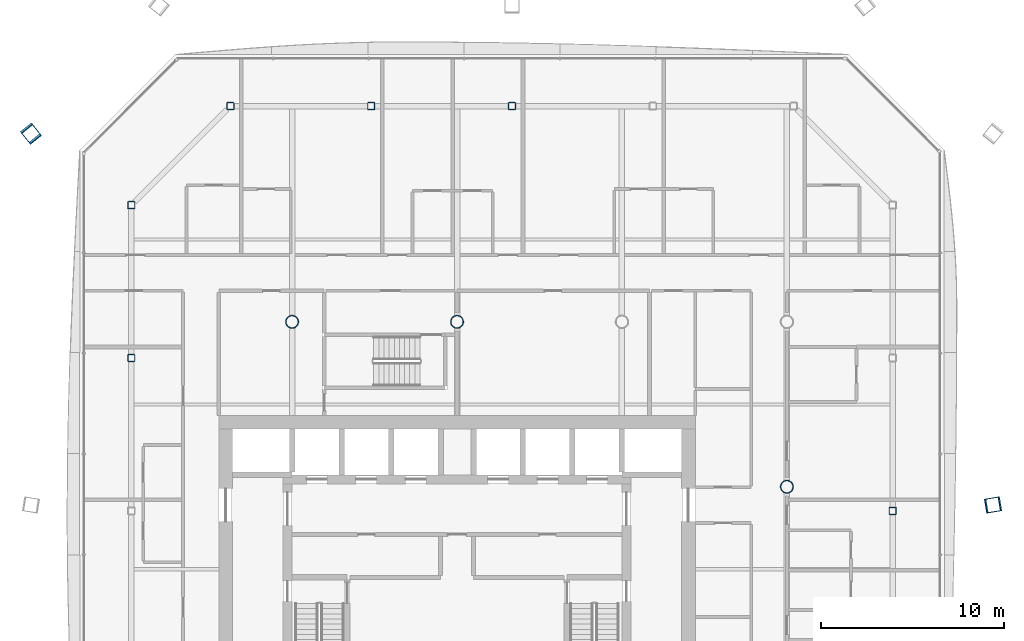
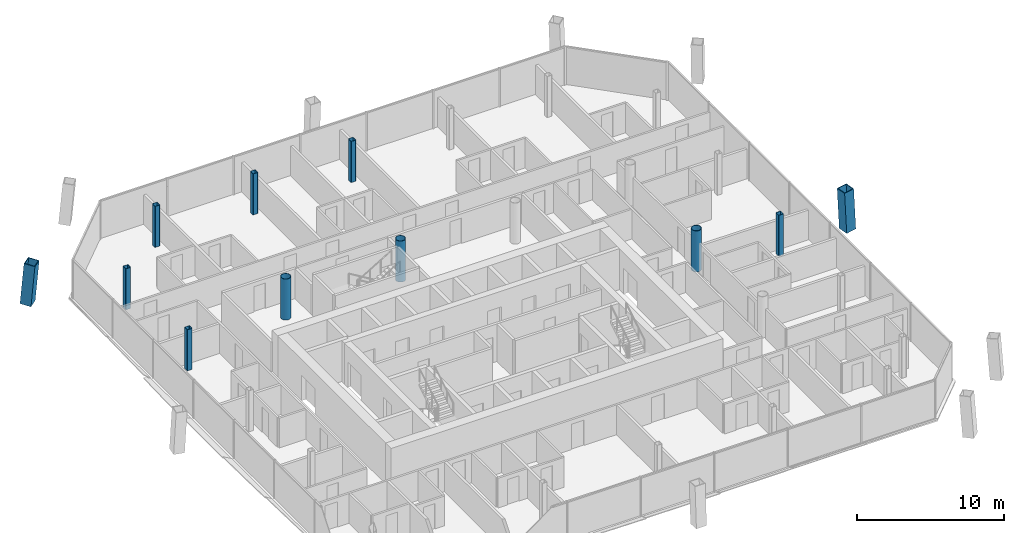
# One storey, part 2 of 22: 11 columns.
"""IFC4 building model written with IfcOpenShell, lengths in metres."""

from ifc_helpers import new_model, si_unit, direction, frame, origin, origin_2d, place, context, subcontext, project, spatial, hollow_rectangle, hollow_circle, extrude, material, material_profile, profile_set, type_object, element, save


model = new_model("IFC4")

# Units and contexts
model_context = context("Model", 3, precision=1e-05, world=origin(), true_north=direction((0.0, 1.0)))
body_context = subcontext(model_context, "Body", "Model", "MODEL_VIEW")
ifc_project = project(units=[si_unit("LENGTHUNIT", "METRE"), si_unit("AREAUNIT", "SQUARE_METRE"), si_unit("VOLUMEUNIT", "CUBIC_METRE"), si_unit("PLANEANGLEUNIT", "RADIAN"), si_unit("MASSUNIT", "GRAM", prefix="KILO")], contexts=[model_context])

# Site, building, storey
site_placement = place(None, origin())
site = spatial("IfcSite", under=ifc_project, at=site_placement, CompositionType="ELEMENT")
building_placement = place(site_placement, origin())
building = spatial("IfcBuilding", under=site, at=building_placement, Name="Tskaro Facet Tower", CompositionType="ELEMENT")
storey_placement = place(building_placement, frame((0.0, 0.0, 124.89990234375)))
storey = spatial("IfcBuildingStorey", under=building, at=storey_placement, Name="L29", CompositionType="ELEMENT", Elevation=124.89990234375)

# Columns
ifc_material_1 = material(Name="Steel S460M", Category="steel")
ifc_material_profile_1 = material_profile(ifc_material_1, hollow_rectangle(XDim=0.800048828125, YDim=0.800048828125, WallThickness=0.050048828125, at=origin_2d()), Name="BOX 800x800x50")
ifc_profile_set_1 = profile_set([ifc_material_profile_1], Name="Steel S460M")
column_type_1 = type_object("IfcColumnType", Name="BOX 800x800x50 mega column", PredefinedType="COLUMN", material=ifc_profile_set_1)
column_1_placement = place(storey_placement, frame((29.283935546875, -0.986083984375, 0.0), z_axis=(-0.053414765233, -0.008818813589, 0.998533470336), x_axis=(0.162895476227, -0.986643331617, 0.0)))
element("IfcColumn", 1, at=column_1_placement, inside=storey, type_object=column_type_1, Name="BOX 800x800x50 MC05/3", PredefinedType="COLUMN", context=body_context, shape_type="SweptSolid", body=[
    extrude(hollow_rectangle(XDim=0.800048828125, YDim=0.800048828125, WallThickness=0.050048828125, at=origin_2d()), origin(), (0.0, 0.0, 1.0), 3.405029296875),
])
column_2_placement = place(storey_placement, frame((-23.283935546875, 19.31103515625, 0.0), z_axis=(0.053299492964, -0.066248765751, 0.996378575184), x_axis=(0.779141980058, 0.626847489356, 0.0)))
element("IfcColumn", 2, at=column_2_placement, inside=storey, type_object=column_type_1, Name="BOX 800x800x50 MC10/3", PredefinedType="COLUMN", context=body_context, shape_type="SweptSolid", body=[
    extrude(hollow_rectangle(XDim=0.800048828125, YDim=0.800048828125, WallThickness=0.050048828125, at=origin_2d()), origin(), (0.0, 0.0, 1.0), 3.41259765625),
])
ifc_material_2 = material(Name="Steel S355J2H", Category="steel")
ifc_material_profile_2 = material_profile(ifc_material_2, hollow_circle(Radius=0.35546875, WallThickness=0.031982421875, at=origin_2d()), Name="CHS 711x32")
ifc_profile_set_2 = profile_set([ifc_material_profile_2], Name="Steel S355J2H")
column_type_2 = type_object("IfcColumnType", Name="CHS 711x32 interior column", PredefinedType="COLUMN", material=ifc_profile_set_2)
for number, where, z_axis, x_axis, name in (
    (3, (-9.0, 9.0, 0.0), (0.0, 0.0, 1.0), (1.0, 0.0, 0.0), "CHS 711x32 C3E/3"),
    (4, (0.0, 9.0, 0.0), (0.0, 0.0, 1.0), (1.0, 0.0, 0.0), "CHS 711x32 C4E/3"),
    (5, (18.0, 0.0, 0.0), (0.0, 0.0, 1.0), (1.0, 0.0, 0.0), "CHS 711x32 C6D/3"),
):
    element("IfcColumn", number, at=place(storey_placement, frame(where, z_axis=z_axis, x_axis=x_axis)), inside=storey, type_object=column_type_2, Name=name, PredefinedType="COLUMN", context=body_context, shape_type="SweptSolid", body=[
        extrude(hollow_circle(Radius=0.35546875, WallThickness=0.031982421875, at=origin_2d()), origin(), (0.0, 0.0, 1.0), 3.400146484375),
    ])
ifc_material_profile_3 = material_profile(ifc_material_2, hollow_rectangle(XDim=0.39990234375, YDim=0.39990234375, WallThickness=0.02001953125, InnerFilletRadius=0.030029296875, OuterFilletRadius=0.050048828125, at=origin_2d()), Name="SHS 400x400x20")
ifc_profile_set_3 = profile_set([ifc_material_profile_3], Name="Steel S355J2H")
column_type_3 = type_object("IfcColumnType", Name="SHS 400x400x20 ring column", PredefinedType="COLUMN", material=ifc_profile_set_3)
for number, where, z_axis, x_axis, name in (
    (6, (23.77392578125, -1.31591796875, 0.0), (0.0, 0.0, 1.0), (1.0, 0.0, 0.0), "SHS 400x400x20 RE-3/3"),
    (7, (3.0, 20.77392578125, 0.0), (0.0, 0.0, 1.0), (1.0, 0.0, 0.0), "SHS 400x400x20 RN-3/3"),
    (8, (-4.68408203125, 20.77392578125, 0.0), (0.0, 0.0, 1.0), (1.0, 0.0, 0.0), "SHS 400x400x20 RN-4/3"),
    (9, (-12.367919921875, 20.77392578125, 0.0), (0.0, 0.0, 1.0), (1.0, 0.0, 0.0), "SHS 400x400x20 RNW-1/3"),
    (10, (-17.77392578125, 15.367919921875, 0.0), (0.0, 0.0, 1.0), (1.0, 0.0, 0.0), "SHS 400x400x20 RW-1/3"),
    (11, (-17.77392578125, 7.02587890625, 0.0), (0.0, 0.0, 1.0), (1.0, 0.0, 0.0), "SHS 400x400x20 RW-2/3"),
):
    element("IfcColumn", number, at=place(storey_placement, frame(where, z_axis=z_axis, x_axis=x_axis)), inside=storey, type_object=column_type_3, Name=name, PredefinedType="COLUMN", context=body_context, shape_type="SweptSolid", body=[
        extrude(hollow_rectangle(XDim=0.39990234375, YDim=0.39990234375, WallThickness=0.02001953125, InnerFilletRadius=0.030029296875, OuterFilletRadius=0.050048828125, at=origin_2d()), origin(), (0.0, 0.0, 1.0), 3.400146484375),
    ])

save(model, "model.ifc")
